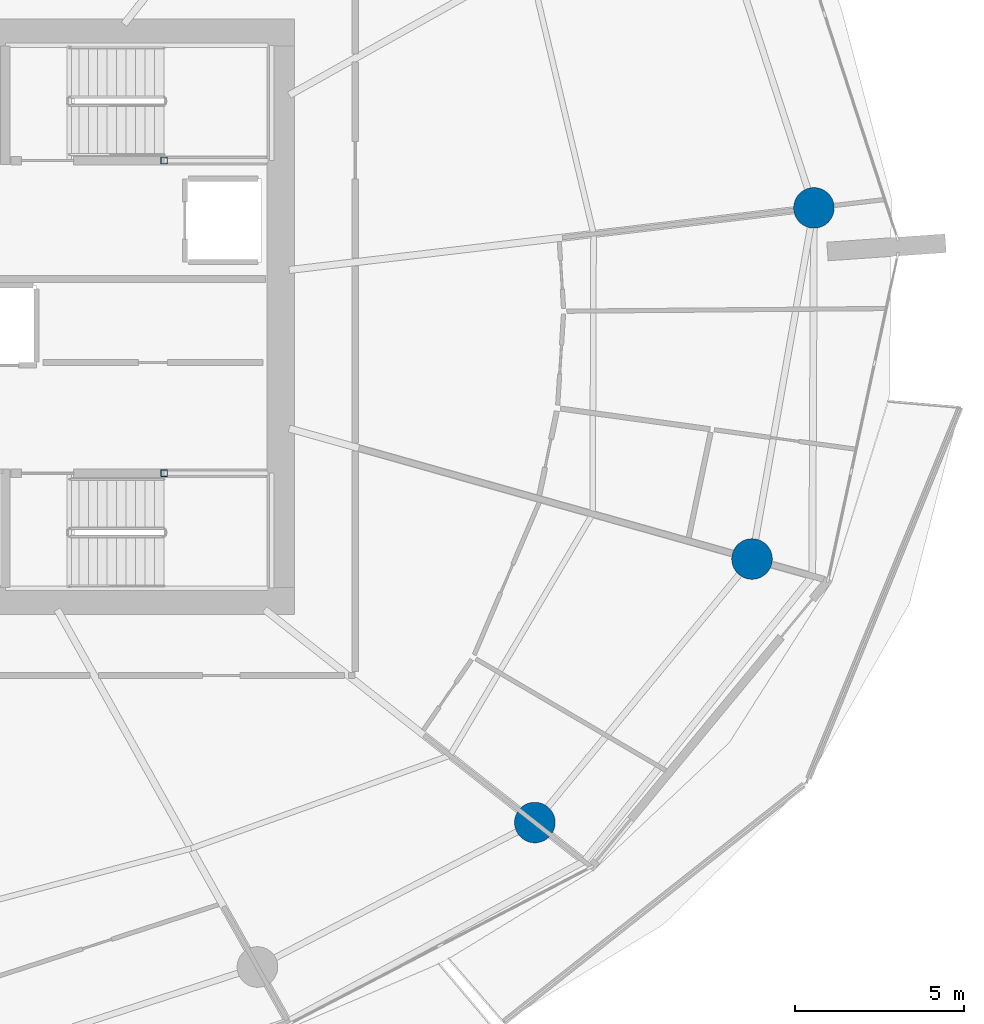
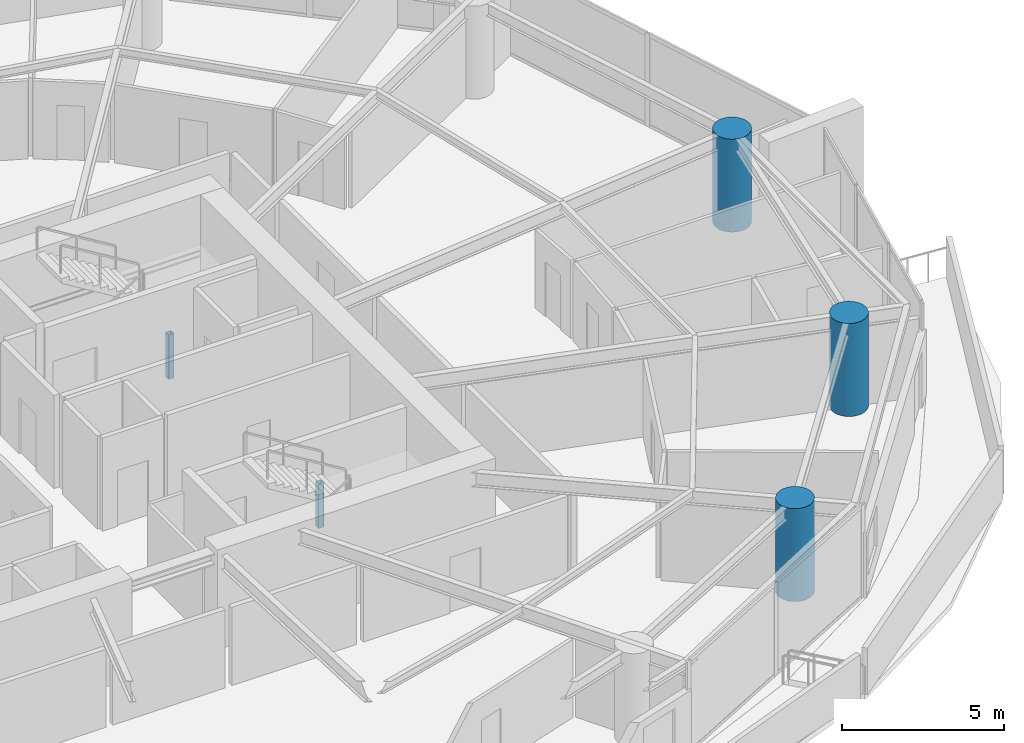
# One storey, part 3 of 22: 5 columns.
"""IFC4 building model written with IfcOpenShell, lengths in metres."""

from ifc_helpers import new_model, si_unit, direction, frame, origin, origin_2d, place, context, subcontext, project, spatial, hollow_rectangle, circle, extrude, material, material_profile, profile_set, type_object, element, save


model = new_model("IFC4")

# Units and contexts
model_context = context("Model", 3, precision=1e-05, world=origin(), true_north=direction((0.0, 1.0)))
body_context = subcontext(model_context, "Body", "Model", "MODEL_VIEW")
ifc_project = project(units=[si_unit("LENGTHUNIT", "METRE"), si_unit("AREAUNIT", "SQUARE_METRE"), si_unit("VOLUMEUNIT", "CUBIC_METRE"), si_unit("PLANEANGLEUNIT", "RADIAN"), si_unit("MASSUNIT", "GRAM", prefix="KILO")], contexts=[model_context])

# Site, building, storey
site_placement = place(None, origin())
site = spatial("IfcSite", under=ifc_project, at=site_placement, CompositionType="ELEMENT")
building_placement = place(site_placement, origin())
building = spatial("IfcBuilding", under=site, at=building_placement, Name="Kazma Halo Residences", CompositionType="ELEMENT")
storey_placement = place(building_placement, frame((0.0, 0.0, 93.89990234375)))
storey = spatial("IfcBuildingStorey", under=building, at=storey_placement, Name="L23", CompositionType="ELEMENT", Elevation=93.89990234375)

# Columns
ifc_material_1 = material(Name="Steel S355", Category="steel")
ifc_material_profile_1 = material_profile(ifc_material_1, hollow_rectangle(XDim=0.199951171875, YDim=0.199951171875, WallThickness=0.010009765625, InnerFilletRadius=0.010009765625, OuterFilletRadius=0.02001953125, at=origin_2d()), Name="SHS200x200x10")
ifc_profile_set_1 = profile_set([ifc_material_profile_1], Name="Steel S355")
column_type_1 = type_object("IfcColumnType", Name="COL-LP-SHS200", PredefinedType="COLUMN", material=ifc_profile_set_1)
for number, where, z_axis, x_axis, name in (
    (1, (56.0, 46.6201171875, 0.0), (0.0, 0.0, 1.0), (1.0, 0.0, 0.0), "L23 ST-02 landing pilaster 1"),
    (2, (56.0, 37.3798828125, 0.0), (0.0, 0.0, 1.0), (1.0, 0.0, 0.0), "L23 ST-03 landing pilaster 1"),
):
    element("IfcColumn", number, at=place(storey_placement, frame(where, z_axis=z_axis, x_axis=x_axis)), inside=storey, type_object=column_type_1, Name=name, PredefinedType="COLUMN", context=body_context, shape_type="SweptSolid", body=[
        extrude(hollow_rectangle(XDim=0.199951171875, YDim=0.199951171875, WallThickness=0.010009765625, InnerFilletRadius=0.010009765625, OuterFilletRadius=0.02001953125, at=origin_2d()), origin(), (0.0, 0.0, 1.0), 1.670166015625),
    ])
ifc_material_2 = material(Name="Concrete C80/95", Category="concrete")
ifc_material_profile_2 = material_profile(ifc_material_2, circle(Radius=0.60009765625, at=origin_2d()), Name="CIRC1200")
ifc_profile_set_2 = profile_set([ifc_material_profile_2], Name="Concrete C80/95")
column_type_2 = type_object("IfcColumnType", Name="COL-PERIM-1200", PredefinedType="COLUMN", material=ifc_profile_set_2)
for number, where, z_axis, x_axis, name in (
    (3, (66.9580078125, 27.0546875, 0.0), (0.0, 0.0, 1.0), (1.0, 0.0, 0.0), "L23 perimeter ring column P14"),
    (4, (73.376708984375, 34.843017578125, 0.0), (0.0, 0.0, 1.0), (1.0, 0.0, 0.0), "L23 perimeter ring column P15"),
    (5, (75.20654296875, 45.22021484375, 0.0), (0.0, 0.0, 1.0), (1.0, 0.0, 0.0), "L23 perimeter ring column P16"),
):
    element("IfcColumn", number, at=place(storey_placement, frame(where, z_axis=z_axis, x_axis=x_axis)), inside=storey, type_object=column_type_2, Name=name, PredefinedType="COLUMN", context=body_context, shape_type="SweptSolid", body=[
        extrude(circle(Radius=0.60009765625, at=origin_2d()), origin(), (0.0, 0.0, 1.0), 3.5),
    ])

save(model, "model.ifc")
